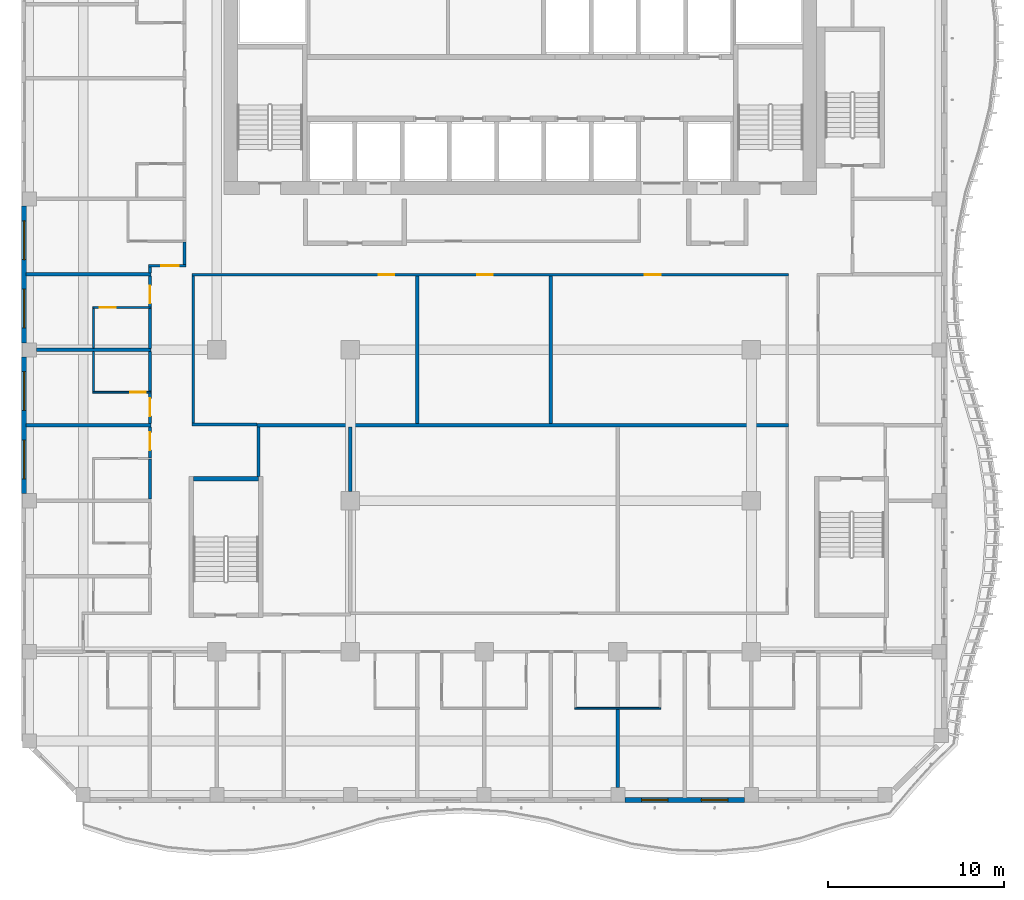
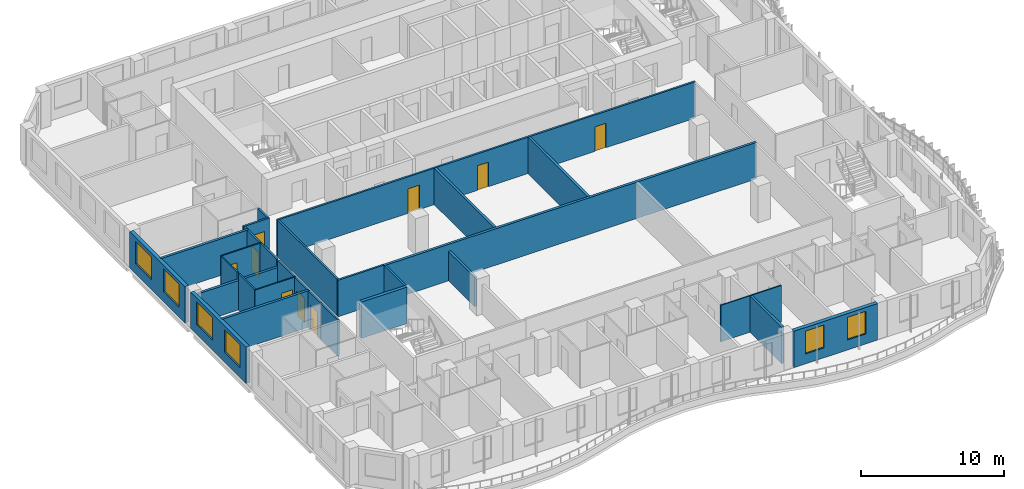
# One storey, part 4 of 22: 30 walls, 9 doors, 6 windows, 15 openings.
"""IFC4 building model written with IfcOpenShell, lengths in metres."""

from ifc_helpers import new_model, si_unit, direction, frame, frame_2d, origin, place, context, subcontext, project, spatial, rectangle, extrude, source, transform, mapped, material, layer, layer_set, type_object, element, fill, save


model = new_model("IFC4")

# Units and contexts
model_context = context("Model", 3, precision=1e-05, world=origin(), true_north=direction((0.0, 1.0)))
body_context = subcontext(model_context, "Body", "Model", "MODEL_VIEW")
ifc_project = project(units=[si_unit("LENGTHUNIT", "METRE"), si_unit("AREAUNIT", "SQUARE_METRE"), si_unit("VOLUMEUNIT", "CUBIC_METRE"), si_unit("PLANEANGLEUNIT", "RADIAN"), si_unit("MASSUNIT", "GRAM", prefix="KILO")], contexts=[model_context])

# Site, building, storey
site_placement = place(None, origin())
site = spatial("IfcSite", under=ifc_project, at=site_placement, CompositionType="ELEMENT")
building_placement = place(site_placement, origin())
building = spatial("IfcBuilding", under=site, at=building_placement, Name="Kilnfold Tower and Market Hall", CompositionType="ELEMENT")
storey_placement = place(building_placement, frame((0.0, 0.0, 188.89990234375)))
storey = spatial("IfcBuildingStorey", under=building, at=storey_placement, Name="L45", CompositionType="ELEMENT", Elevation=188.89990234375)

# Wall, opening, door
ifc_material_1 = material(Name="Gypsum board on steel studs", Category="steel")
ifc_layer_1 = layer(ifc_material_1, 0.14990234375)
ifc_layer_set_1 = layer_set([ifc_layer_1], Name="Gypsum board on steel studs")
wall_type_1 = type_object("IfcWallType", Name="WALL CORRIDOR 150", PredefinedType="PARTITIONING", material=ifc_layer_set_1)
wall_1_placement = place(storey_placement, frame((-19.958984375, -6.68505859375, 0.0), z_axis=(0.0, 0.0, 1.0), x_axis=(0.0, 1.0, 0.0)))
wall_1 = element("IfcWall", 1, at=wall_1_placement, inside=storey, type_object=wall_type_1, Name="Partition LY28.12", PredefinedType="PARTITIONING", context=body_context, shape_type="SweptSolid", body=[
    extrude(rectangle(XDim=1.751953125, YDim=0.14990234375, at=frame_2d((0.8759765625, 0.0))), origin(), (0.0, 0.0, 1.0), 3.1201171875),
])
opening_1_placement = place(wall_1_placement, frame((0.43505859375, 0.0, 0.0)))
opening_1 = element("IfcOpeningElement", 2, at=opening_1_placement, cuts=wall_1, Name="Opening D1", PredefinedType="OPENING", context=body_context, shape_type="SweptSolid", body=[
    extrude(rectangle(XDim=1.0, YDim=2.10009765625, at=frame_2d((0.5, 1.050048828125))), frame((0.0, 0.0849609375, 0.0), z_axis=(0.0, -1.0, 0.0), x_axis=(1.0, 0.0, 0.0)), (0.0, 0.0, 1.0), 0.169921875),
])
ifc_material_2 = material(Name="Timber veneer door leaf in steel frame", Category="steel")
door_type_1 = type_object("IfcDoorType", Name="DOOR ENTRY 1000 X2100", OperationType="NOTDEFINED", PredefinedType="DOOR", material=ifc_material_2)
door_1_placement = place(opening_1_placement, origin())
door_1 = element("IfcDoor", 3, at=door_1_placement, inside=storey, type_object=door_type_1, Name="Door D1", OperationType="SINGLE_SWING_RIGHT", OverallHeight=2.10009765625, OverallWidth=1.0, PredefinedType="DOOR", context=body_context, shape_type="SweptSolid", body=[
    extrude(rectangle(XDim=1.0, YDim=2.10009765625, at=frame_2d((0.5, 1.050048828125))), frame((0.0, 0.02490234375, 0.0), z_axis=(0.0, -1.0, 0.0), x_axis=(1.0, 0.0, 0.0)), (0.0, 0.0, 1.0), 0.050048828125),
])
fill(opening_1, door_1)

# Wall
wall_2_placement = place(storey_placement, frame((-19.958984375, -9.034912109375, 0.0), z_axis=(0.0, 0.0, 1.0), x_axis=(0.0, 1.0, 0.0)))
element("IfcWall", 4, at=wall_2_placement, inside=storey, type_object=wall_type_1, Name="Partition LY28.13", PredefinedType="PARTITIONING", context=body_context, shape_type="SweptSolid", body=[
    extrude(rectangle(XDim=2.27001953125, YDim=0.14990234375, at=frame_2d((1.135009765625, 0.0))), origin(), (0.0, 0.0, 1.0), 3.1201171875),
])

# Wall, opening, door
wall_3_placement = place(storey_placement, frame((-19.958984375, -4.7529296875, 0.0), z_axis=(0.0, 0.0, 1.0), x_axis=(0.0, 1.0, 0.0)))
wall_3 = element("IfcWall", 5, at=wall_3_placement, inside=storey, type_object=wall_type_1, Name="Partition LY28.14", PredefinedType="PARTITIONING", context=body_context, shape_type="SweptSolid", body=[
    extrude(rectangle(XDim=1.7509765625, YDim=0.14990234375, at=frame_2d((0.87548828125, 0.0))), origin(), (0.0, 0.0, 1.0), 3.1201171875),
])
opening_2_placement = place(wall_3_placement, frame((0.43408203125, 0.0, 0.0)))
opening_2 = element("IfcOpeningElement", 6, at=opening_2_placement, cuts=wall_3, Name="Opening D1", PredefinedType="OPENING", context=body_context, shape_type="SweptSolid", body=[
    extrude(rectangle(XDim=1.0, YDim=2.10009765625, at=frame_2d((0.5, 1.050048828125))), frame((0.0, 0.0849609375, 0.0), z_axis=(0.0, -1.0, 0.0), x_axis=(1.0, 0.0, 0.0)), (0.0, 0.0, 1.0), 0.169921875),
])
door_2_placement = place(opening_2_placement, origin())
door_2 = element("IfcDoor", 7, at=door_2_placement, inside=storey, type_object=door_type_1, Name="Door D1", OperationType="SINGLE_SWING_RIGHT", OverallHeight=2.10009765625, OverallWidth=1.0, PredefinedType="DOOR", context=body_context, shape_type="SweptSolid", body=[
    extrude(rectangle(XDim=1.0, YDim=2.10009765625, at=frame_2d((0.5, 1.050048828125))), frame((0.0, 0.02490234375, 0.0), z_axis=(0.0, -1.0, 0.0), x_axis=(1.0, 0.0, 0.0)), (0.0, 0.0, 1.0), 0.050048828125),
])
fill(opening_2, door_2)

# Wall
wall_4_placement = place(storey_placement, frame((-19.958984375, -2.922119140625, 0.0), z_axis=(0.0, 0.0, 1.0), x_axis=(0.0, 1.0, 0.0)))
element("IfcWall", 8, at=wall_4_placement, inside=storey, type_object=wall_type_1, Name="Partition LY28.15", PredefinedType="PARTITIONING", context=body_context, shape_type="SweptSolid", body=[
    extrude(rectangle(XDim=2.27001953125, YDim=0.14990234375, at=frame_2d((1.135009765625, 0.0))), origin(), (0.0, 0.0, 1.0), 3.1201171875),
])

# Wall, opening, door
wall_5_placement = place(storey_placement, frame((-19.958984375, 1.8779296875, 0.0), z_axis=(0.0, 0.0, 1.0), x_axis=(0.0, 1.0, 0.0)))
wall_5 = element("IfcWall", 9, at=wall_5_placement, inside=storey, type_object=wall_type_1, Name="Partition LY28.16", PredefinedType="PARTITIONING", context=body_context, shape_type="SweptSolid", body=[
    extrude(rectangle(XDim=1.7509765625, YDim=0.14990234375, at=frame_2d((0.87548828125, 0.0))), origin(), (0.0, 0.0, 1.0), 3.1201171875),
])
opening_3_placement = place(wall_5_placement, frame((0.199951171875, 0.0, 0.0)))
opening_3 = element("IfcOpeningElement", 10, at=opening_3_placement, cuts=wall_5, Name="Opening D1", PredefinedType="OPENING", context=body_context, shape_type="SweptSolid", body=[
    extrude(rectangle(XDim=1.0, YDim=2.10009765625, at=frame_2d((0.5, 1.050048828125))), frame((0.0, 0.0849609375, 0.0), z_axis=(0.0, -1.0, 0.0), x_axis=(1.0, 0.0, 0.0)), (0.0, 0.0, 1.0), 0.169921875),
])
door_3_placement = place(opening_3_placement, origin())
door_3 = element("IfcDoor", 11, at=door_3_placement, inside=storey, type_object=door_type_1, Name="Door D1", OperationType="SINGLE_SWING_RIGHT", OverallHeight=2.10009765625, OverallWidth=1.0, PredefinedType="DOOR", context=body_context, shape_type="SweptSolid", body=[
    extrude(rectangle(XDim=1.0, YDim=2.10009765625, at=frame_2d((0.5, 1.050048828125))), frame((0.0, 0.02490234375, 0.0), z_axis=(0.0, -1.0, 0.0), x_axis=(1.0, 0.0, 0.0)), (0.0, 0.0, 1.0), 0.050048828125),
])
fill(opening_3, door_3)

# Walls
wall_6_placement = place(storey_placement, frame((-19.958984375, -0.471923828125, 0.0), z_axis=(0.0, 0.0, 1.0), x_axis=(0.0, 1.0, 0.0)))
element("IfcWall", 12, at=wall_6_placement, inside=storey, type_object=wall_type_1, Name="Partition LY28.17", PredefinedType="PARTITIONING", context=body_context, shape_type="SweptSolid", body=[
    extrude(rectangle(XDim=2.27001953125, YDim=0.14990234375, at=frame_2d((1.135009765625, 0.0))), origin(), (0.0, 0.0, 1.0), 3.1201171875),
])
wall_7_placement = place(storey_placement, frame((-19.958984375, 3.80908203125, 0.0), z_axis=(0.0, 0.0, 1.0), x_axis=(0.0, 1.0, 0.0)))
element("IfcWall", 13, at=wall_7_placement, inside=storey, type_object=wall_type_1, Name="Partition LY28.18", PredefinedType="PARTITIONING", context=body_context, shape_type="SweptSolid", body=[
    extrude(rectangle(XDim=0.31591796875, YDim=0.14990234375, at=frame_2d((0.157958984375, 0.0))), origin(), (0.0, 0.0, 1.0), 3.1201171875),
])

# Wall, opening, door
wall_8_placement = place(storey_placement, frame((-17.925048828125, 4.199951171875, 0.0), z_axis=(0.0, 0.0, 1.0), x_axis=(-1.0, 0.0, 0.0)))
wall_8 = element("IfcWall", 14, at=wall_8_placement, inside=storey, type_object=wall_type_1, Name="Partition LY28.19", PredefinedType="PARTITIONING", context=body_context, shape_type="SweptSolid", body=[
    extrude(rectangle(XDim=2.10888671875, YDim=0.14990234375, at=frame_2d((1.054443359375, 0.0))), origin(), (0.0, 0.0, 1.0), 3.1201171875),
])
opening_4_placement = place(wall_8_placement, frame((0.403076171875, 0.0, 0.0)))
opening_4 = element("IfcOpeningElement", 15, at=opening_4_placement, cuts=wall_8, Name="Opening D1", PredefinedType="OPENING", context=body_context, shape_type="SweptSolid", body=[
    extrude(rectangle(XDim=1.0, YDim=2.10009765625, at=frame_2d((0.5, 1.050048828125))), frame((0.0, 0.0849609375, 0.0), z_axis=(0.0, -1.0, 0.0), x_axis=(1.0, 0.0, 0.0)), (0.0, 0.0, 1.0), 0.169921875),
])
door_4_placement = place(opening_4_placement, origin())
door_4 = element("IfcDoor", 16, at=door_4_placement, inside=storey, type_object=door_type_1, Name="Door D1", OperationType="SINGLE_SWING_LEFT", OverallHeight=2.10009765625, OverallWidth=1.0, PredefinedType="DOOR", context=body_context, shape_type="SweptSolid", body=[
    extrude(rectangle(XDim=1.0, YDim=2.10009765625, at=frame_2d((0.5, 1.050048828125))), frame((0.0, 0.02490234375, 0.0), z_axis=(0.0, -1.0, 0.0), x_axis=(1.0, 0.0, 0.0)), (0.0, 0.0, 1.0), 0.050048828125),
])
fill(opening_4, door_4)

# Wall
wall_9_placement = place(storey_placement, frame((-18.0, 4.27490234375, 0.0), z_axis=(0.0, 0.0, 1.0), x_axis=(0.0, 1.0, 0.0)))
element("IfcWall", 17, at=wall_9_placement, inside=storey, type_object=wall_type_1, Name="Partition LY28.20", PredefinedType="PARTITIONING", context=body_context, shape_type="SweptSolid", body=[
    extrude(rectangle(XDim=1.28515625, YDim=0.14990234375, at=frame_2d((0.642578125, 0.0))), origin(), (0.0, 0.0, 1.0), 3.1201171875),
])

# Wall, openings, doors
wall_10_placement = place(storey_placement, frame((-17.574951171875, 3.699951171875, 0.0), z_axis=(0.0, 0.0, 1.0), x_axis=(1.0, 0.0, 0.0)))
wall_10 = element("IfcWall", 18, at=wall_10_placement, inside=storey, type_object=wall_type_1, Name="Partition LY28.42", PredefinedType="PARTITIONING", context=body_context, shape_type="SweptSolid", body=[
    extrude(rectangle(XDim=33.849853515625, YDim=0.14990234375, at=frame_2d((16.9248046875, 0.0))), origin(), (0.0, 0.0, 1.0), 3.1201171875),
])
opening_5_placement = place(wall_10_placement, frame((10.583984375, 0.0, 0.0)))
opening_5 = element("IfcOpeningElement", 19, at=opening_5_placement, cuts=wall_10, Name="Opening D2", PredefinedType="OPENING", context=body_context, shape_type="SweptSolid", body=[
    extrude(rectangle(XDim=0.89990234375, YDim=2.10009765625, at=frame_2d((0.449951171875, 1.050048828125))), frame((0.0, 0.0849609375, 0.0), z_axis=(0.0, -1.0, 0.0), x_axis=(1.0, 0.0, 0.0)), (0.0, 0.0, 1.0), 0.169921875),
])
opening_6_placement = place(wall_10_placement, frame((16.175048828125, 0.0, 0.0)))
opening_6 = element("IfcOpeningElement", 20, at=opening_6_placement, cuts=wall_10, Name="Opening D2", PredefinedType="OPENING", context=body_context, shape_type="SweptSolid", body=[
    extrude(rectangle(XDim=0.89990234375, YDim=2.10009765625, at=frame_2d((0.449951171875, 1.050048828125))), frame((0.0, 0.0849609375, 0.0), z_axis=(0.0, -1.0, 0.0), x_axis=(1.0, 0.0, 0.0)), (0.0, 0.0, 1.0), 0.169921875),
])
opening_7_placement = place(wall_10_placement, frame((25.696044921875, 0.0, 0.0)))
opening_7 = element("IfcOpeningElement", 21, at=opening_7_placement, cuts=wall_10, Name="Opening D2", PredefinedType="OPENING", context=body_context, shape_type="SweptSolid", body=[
    extrude(rectangle(XDim=0.89990234375, YDim=2.10009765625, at=frame_2d((0.449951171875, 1.050048828125))), frame((0.0, 0.0849609375, 0.0), z_axis=(0.0, -1.0, 0.0), x_axis=(1.0, 0.0, 0.0)), (0.0, 0.0, 1.0), 0.169921875),
])
ifc_material_3 = material(Name="Timber veneer door leaf in steel frame", Category="steel")
door_type_2 = type_object("IfcDoorType", Name="DOOR ROOM 900 X2100", OperationType="NOTDEFINED", PredefinedType="DOOR", material=ifc_material_3)
door_5_placement = place(opening_5_placement, origin())
door_5 = element("IfcDoor", 22, at=door_5_placement, inside=storey, type_object=door_type_2, Name="Door D2", OperationType="SINGLE_SWING_RIGHT", OverallHeight=2.10009765625, OverallWidth=0.89990234375, PredefinedType="DOOR", context=body_context, shape_type="SweptSolid", body=[
    extrude(rectangle(XDim=0.89990234375, YDim=2.10009765625, at=frame_2d((0.449951171875, 1.050048828125))), frame((0.0, 0.02490234375, 0.0), z_axis=(0.0, -1.0, 0.0), x_axis=(1.0, 0.0, 0.0)), (0.0, 0.0, 1.0), 0.050048828125),
])
fill(opening_5, door_5)
door_6_placement = place(opening_6_placement, origin())
door_6 = element("IfcDoor", 23, at=door_6_placement, inside=storey, type_object=door_type_2, Name="Door D2", OperationType="SINGLE_SWING_LEFT", OverallHeight=2.10009765625, OverallWidth=0.89990234375, PredefinedType="DOOR", context=body_context, shape_type="SweptSolid", body=[
    extrude(rectangle(XDim=0.89990234375, YDim=2.10009765625, at=frame_2d((0.449951171875, 1.050048828125))), frame((0.0, 0.02490234375, 0.0), z_axis=(0.0, -1.0, 0.0), x_axis=(1.0, 0.0, 0.0)), (0.0, 0.0, 1.0), 0.050048828125),
])
fill(opening_6, door_6)
door_7_placement = place(opening_7_placement, origin())
door_7 = element("IfcDoor", 24, at=door_7_placement, inside=storey, type_object=door_type_2, Name="Door D2", OperationType="SINGLE_SWING_RIGHT", OverallHeight=2.10009765625, OverallWidth=0.89990234375, PredefinedType="DOOR", context=body_context, shape_type="SweptSolid", body=[
    extrude(rectangle(XDim=0.89990234375, YDim=2.10009765625, at=frame_2d((0.449951171875, 1.050048828125))), frame((0.0, 0.02490234375, 0.0), z_axis=(0.0, -1.0, 0.0), x_axis=(1.0, 0.0, 0.0)), (0.0, 0.0, 1.0), 0.050048828125),
])
fill(opening_7, door_7)

# Walls
wall_11_placement = place(storey_placement, frame((-17.5, -4.72509765625, 0.0), z_axis=(0.0, 0.0, 1.0), x_axis=(0.0, 1.0, 0.0)))
element("IfcWall", 25, at=wall_11_placement, inside=storey, type_object=wall_type_1, Name="Partition LY28.43", PredefinedType="PARTITIONING", context=body_context, shape_type="SweptSolid", body=[
    extrude(rectangle(XDim=8.35009765625, YDim=0.14990234375, at=frame_2d((4.175048828125, 0.0))), origin(), (0.0, 0.0, 1.0), 3.1201171875),
])
wall_12_placement = place(storey_placement, frame((-17.574951171875, -4.800048828125, 0.0), z_axis=(0.0, 0.0, 1.0), x_axis=(1.0, 0.0, 0.0)))
element("IfcWall", 26, at=wall_12_placement, inside=storey, type_object=wall_type_1, Name="Partition LY28.44", PredefinedType="PARTITIONING", context=body_context, shape_type="SweptSolid", body=[
    extrude(rectangle(XDim=3.701904296875, YDim=0.14990234375, at=frame_2d((1.85107421875, 0.0))), origin(), (0.0, 0.0, 1.0), 3.1201171875),
])
wall_13_placement = place(storey_placement, frame((-13.800048828125, -7.75, 0.0), z_axis=(0.0, 0.0, 1.0), x_axis=(0.0, 1.0, 0.0)))
element("IfcWall", 27, at=wall_13_placement, inside=storey, type_object=wall_type_1, Name="Partition LY28.46", PredefinedType="PARTITIONING", context=body_context, shape_type="SweptSolid", body=[
    extrude(rectangle(XDim=2.81689453125, YDim=0.14990234375, at=frame_2d((1.408447265625, 0.0))), origin(), (0.0, 0.0, 1.0), 3.1201171875),
])
ifc_material_4 = material(Name="Gypsum board on steel studs", Category="steel")
ifc_layer_2 = layer(ifc_material_4, 0.10009765625)
ifc_layer_set_2 = layer_set([ifc_layer_2], Name="Gypsum board on steel studs")
wall_type_2 = type_object("IfcWallType", Name="WALL PARTITION 100", PredefinedType="PARTITIONING", material=ifc_layer_set_2)
wall_14_placement = place(storey_placement, frame((4.133056640625, -20.902099609375, 0.0), z_axis=(0.0, 0.0, 1.0), x_axis=(1.0, 0.0, 0.0)))
element("IfcWall", 28, at=wall_14_placement, inside=storey, type_object=wall_type_2, Name="Partition LY28.72", PredefinedType="PARTITIONING", context=body_context, shape_type="SweptSolid", body=[
    extrude(rectangle(XDim=4.89990234375, YDim=0.10009765625, at=frame_2d((2.449951171875, 0.0))), origin(), (0.0, 0.0, 1.0), 3.1201171875),
])

# Wall, opening, door
wall_15_placement = place(storey_placement, frame((-19.885986328125, -2.9619140625, 0.0), z_axis=(0.0, 0.0, 1.0), x_axis=(-1.0, 0.0, 0.0)))
wall_15 = element("IfcWall", 29, at=wall_15_placement, inside=storey, type_object=wall_type_2, Name="Partition LY28.95", PredefinedType="PARTITIONING", context=body_context, shape_type="SweptSolid", body=[
    extrude(rectangle(XDim=3.324951171875, YDim=0.10009765625, at=frame_2d((1.66259765625, 0.0))), origin(), (0.0, 0.0, 1.0), 3.1201171875),
])
opening_8_placement = place(wall_15_placement, frame((0.301025390625, 0.0, 0.0)))
opening_8 = element("IfcOpeningElement", 30, at=opening_8_placement, cuts=wall_15, Name="Opening D3", PredefinedType="OPENING", context=body_context, shape_type="SweptSolid", body=[
    extrude(rectangle(XDim=0.89990234375, YDim=2.10009765625, at=frame_2d((0.449951171875, 1.050048828125))), frame((0.0, 0.06005859375, 0.0), z_axis=(0.0, -1.0, 0.0), x_axis=(1.0, 0.0, 0.0)), (0.0, 0.0, 1.0), 0.1201171875),
])
ifc_material_5 = material(Name="Timber veneer door leaf in steel frame", Category="steel")
door_type_3 = type_object("IfcDoorType", Name="DOOR WC 900 X2100", OperationType="NOTDEFINED", PredefinedType="DOOR", material=ifc_material_5)
door_8_placement = place(opening_8_placement, origin())
door_8 = element("IfcDoor", 31, at=door_8_placement, inside=storey, type_object=door_type_3, Name="Door D3", OperationType="SINGLE_SWING_RIGHT", OverallHeight=2.10009765625, OverallWidth=0.89990234375, PredefinedType="DOOR", context=body_context, shape_type="SweptSolid", body=[
    extrude(rectangle(XDim=0.89990234375, YDim=2.10009765625, at=frame_2d((0.449951171875, 1.050048828125))), frame((0.0, 0.02490234375, 0.0), z_axis=(0.0, -1.0, 0.0), x_axis=(1.0, 0.0, 0.0)), (0.0, 0.0, 1.0), 0.050048828125),
])
fill(opening_8, door_8)

# Wall
wall_16_placement = place(storey_placement, frame((-23.160888671875, -2.912109375, 0.0), z_axis=(0.0, 0.0, 1.0), x_axis=(0.0, 1.0, 0.0)))
element("IfcWall", 32, at=wall_16_placement, inside=storey, type_object=wall_type_2, Name="Partition LY28.96", PredefinedType="PARTITIONING", context=body_context, shape_type="SweptSolid", body=[
    extrude(rectangle(XDim=2.25, YDim=0.10009765625, at=frame_2d((1.125, 0.0))), origin(), (0.0, 0.0, 1.0), 3.1201171875),
])

# Wall, opening, door
wall_17_placement = place(storey_placement, frame((-23.2109375, 1.837890625, 0.0), z_axis=(0.0, 0.0, 1.0), x_axis=(1.0, 0.0, 0.0)))
wall_17 = element("IfcWall", 33, at=wall_17_placement, inside=storey, type_object=wall_type_2, Name="Partition LY28.98", PredefinedType="PARTITIONING", context=body_context, shape_type="SweptSolid", body=[
    extrude(rectangle(XDim=3.324951171875, YDim=0.10009765625, at=frame_2d((1.66259765625, 0.0))), origin(), (0.0, 0.0, 1.0), 3.1201171875),
])
opening_9_placement = place(wall_17_placement, frame((0.402099609375, 0.0, 0.0)))
opening_9 = element("IfcOpeningElement", 34, at=opening_9_placement, cuts=wall_17, Name="Opening D3", PredefinedType="OPENING", context=body_context, shape_type="SweptSolid", body=[
    extrude(rectangle(XDim=0.89990234375, YDim=2.10009765625, at=frame_2d((0.449951171875, 1.050048828125))), frame((0.0, 0.06005859375, 0.0), z_axis=(0.0, -1.0, 0.0), x_axis=(1.0, 0.0, 0.0)), (0.0, 0.0, 1.0), 0.1201171875),
])
door_9_placement = place(opening_9_placement, origin())
door_9 = element("IfcDoor", 35, at=door_9_placement, inside=storey, type_object=door_type_3, Name="Door D3", OperationType="SINGLE_SWING_LEFT", OverallHeight=2.10009765625, OverallWidth=0.89990234375, PredefinedType="DOOR", context=body_context, shape_type="SweptSolid", body=[
    extrude(rectangle(XDim=0.89990234375, YDim=2.10009765625, at=frame_2d((0.449951171875, 1.050048828125))), frame((0.0, 0.02490234375, 0.0), z_axis=(0.0, -1.0, 0.0), x_axis=(1.0, 0.0, 0.0)), (0.0, 0.0, 1.0), 0.050048828125),
])
fill(opening_9, door_9)

# Walls
wall_18_placement = place(storey_placement, frame((-23.160888671875, -0.4619140625, 0.0), z_axis=(0.0, 0.0, 1.0), x_axis=(0.0, 1.0, 0.0)))
element("IfcWall", 36, at=wall_18_placement, inside=storey, type_object=wall_type_2, Name="Partition LY28.99", PredefinedType="PARTITIONING", context=body_context, shape_type="SweptSolid", body=[
    extrude(rectangle(XDim=2.25, YDim=0.10009765625, at=frame_2d((1.125, 0.0))), origin(), (0.0, 0.0, 1.0), 3.1201171875),
])
ifc_material_6 = material(Name="Gypsum board on steel studs", Category="steel")
ifc_layer_3 = layer(ifc_material_6, 0.199951171875)
ifc_layer_set_3 = layer_set([ifc_layer_3], Name="Gypsum board on steel studs")
wall_type_3 = type_object("IfcWallType", Name="WALL PARTY 200", PredefinedType="PARTITIONING", material=ifc_layer_set_3)
wall_19_placement = place(storey_placement, frame((6.5830078125, -25.39990234375, 0.0), z_axis=(0.0, 0.0, 1.0), x_axis=(0.0, 1.0, 0.0)))
element("IfcWall", 37, at=wall_19_placement, inside=storey, type_object=wall_type_3, Name="Partition LY28.73", PredefinedType="PARTITIONING", context=body_context, shape_type="SweptSolid", body=[
    extrude(rectangle(XDim=4.447998046875, YDim=0.199951171875, at=frame_2d((2.22412109375, 0.0))), origin(), (0.0, 0.0, 1.0), 3.1201171875),
])
wall_20_placement = place(storey_placement, frame((-27.0, -4.843017578125, 0.0), z_axis=(0.0, 0.0, 1.0), x_axis=(1.0, 0.0, 0.0)))
element("IfcWall", 38, at=wall_20_placement, inside=storey, type_object=wall_type_3, Name="Partition LY28.94", PredefinedType="PARTITIONING", context=body_context, shape_type="SweptSolid", body=[
    extrude(rectangle(XDim=7.114013671875, YDim=0.199951171875, at=frame_2d((3.55712890625, 0.0))), origin(), (0.0, 0.0, 1.0), 3.1201171875),
])
wall_21_placement = place(storey_placement, frame((-26.39990234375, -0.56201171875, 0.0), z_axis=(0.0, 0.0, 1.0), x_axis=(1.0, 0.0, 0.0)))
element("IfcWall", 39, at=wall_21_placement, inside=storey, type_object=wall_type_3, Name="Partition LY28.97", PredefinedType="PARTITIONING", context=body_context, shape_type="SweptSolid", body=[
    extrude(rectangle(XDim=6.513916015625, YDim=0.199951171875, at=frame_2d((3.2568359375, 0.0))), origin(), (0.0, 0.0, 1.0), 2.52001953125),
])
wall_22_placement = place(storey_placement, frame((-27.0, 3.718994140625, 0.0), z_axis=(0.0, 0.0, 1.0), x_axis=(1.0, 0.0, 0.0)))
element("IfcWall", 40, at=wall_22_placement, inside=storey, type_object=wall_type_3, Name="Partition LY28.100", PredefinedType="PARTITIONING", context=body_context, shape_type="SweptSolid", body=[
    extrude(rectangle(XDim=7.114013671875, YDim=0.199951171875, at=frame_2d((3.55712890625, 0.0))), origin(), (0.0, 0.0, 1.0), 3.1201171875),
])
wall_23_placement = place(storey_placement, frame((-4.7919921875, -4.742919921875, 0.0), z_axis=(0.0, 0.0, 1.0), x_axis=(0.0, 1.0, 0.0)))
element("IfcWall", 41, at=wall_23_placement, inside=storey, type_object=wall_type_3, Name="Partition LY28.122", PredefinedType="PARTITIONING", context=body_context, shape_type="SweptSolid", body=[
    extrude(rectangle(XDim=8.365966796875, YDim=0.199951171875, at=frame_2d((4.18310546875, 0.0))), origin(), (0.0, 0.0, 1.0), 3.1201171875),
])
wall_24_placement = place(storey_placement, frame((-13.873046875, -4.843017578125, 0.0), z_axis=(0.0, 0.0, 1.0), x_axis=(1.0, 0.0, 0.0)))
element("IfcWall", 42, at=wall_24_placement, inside=storey, type_object=wall_type_3, Name="Partition LY28.123", PredefinedType="PARTITIONING", context=body_context, shape_type="SweptSolid", body=[
    extrude(rectangle(XDim=30.14599609375, YDim=0.199951171875, at=frame_2d((15.072998046875, 0.0))), origin(), (0.0, 0.0, 1.0), 3.1201171875),
])
wall_25_placement = place(storey_placement, frame((2.7919921875, -4.742919921875, 0.0), z_axis=(0.0, 0.0, 1.0), x_axis=(0.0, 1.0, 0.0)))
element("IfcWall", 43, at=wall_25_placement, inside=storey, type_object=wall_type_3, Name="Partition LY28.124", PredefinedType="PARTITIONING", context=body_context, shape_type="SweptSolid", body=[
    extrude(rectangle(XDim=8.365966796875, YDim=0.199951171875, at=frame_2d((4.18310546875, 0.0))), origin(), (0.0, 0.0, 1.0), 3.1201171875),
])
wall_26_placement = place(storey_placement, frame((-8.5830078125, -8.60009765625, 0.0), z_axis=(0.0, 0.0, 1.0), x_axis=(0.0, 1.0, 0.0)))
element("IfcWall", 44, at=wall_26_placement, inside=storey, type_object=wall_type_3, Name="Partition LY28.125", PredefinedType="PARTITIONING", context=body_context, shape_type="SweptSolid", body=[
    extrude(rectangle(XDim=3.656982421875, YDim=0.199951171875, at=frame_2d((1.82861328125, 0.0))), origin(), (0.0, 0.0, 1.0), 2.52001953125),
])
ifc_material_7 = material(Name="Concrete C60", Category="concrete")
ifc_layer_4 = layer(ifc_material_7, 0.25)
ifc_layer_set_4 = layer_set([ifc_layer_4], Name="Concrete C60")
wall_type_4 = type_object("IfcWallType", Name="CORE WALL 250 C60", PredefinedType="SHEAR", material=ifc_layer_set_4)
shared_shape_1 = source(origin(), body_context, "Body", "SweptSolid", [
    extrude(rectangle(XDim=3.699951171875, YDim=0.25, at=frame_2d((1.85009765625, 0.0))), origin(), (0.0, 0.0, 1.0), 3.1201171875),
])
wall_27_placement = place(storey_placement, frame((-17.5, -7.875, 0.0), z_axis=(0.0, 0.0, 1.0), x_axis=(1.0, 0.0, 0.0)))
element("IfcWall", 45, at=wall_27_placement, inside=storey, type_object=wall_type_4, Name="Stair enclosure ST3", PredefinedType="SHEAR", context=body_context, shape_type="MappedRepresentation", body=[
    mapped(shared_shape_1, transform((0.0, 0.0, 0.0))),
])

# Wall, openings, windows
ifc_material_8 = material(Name="Precast concrete C50/60", Category="concrete")
ifc_layer_5 = layer(ifc_material_8, 0.300048828125)
ifc_layer_set_5 = layer_set([ifc_layer_5], Name="Precast concrete C50/60")
wall_type_5 = type_object("IfcWallType", Name="PRECAST WALL 300", PredefinedType="SOLIDWALL", material=ifc_layer_set_5)
shared_shape_2 = source(origin(), body_context, "Body", "SweptSolid", [
    extrude(rectangle(XDim=6.783203125, YDim=0.300048828125, at=frame_2d((3.3916015625, 0.0))), origin(), (0.0, 0.0, 1.0), 3.1201171875),
])
wall_28_placement = place(storey_placement, frame((6.9833984375, -26.10009765625, 0.0), z_axis=(0.0, 0.0, 1.0), x_axis=(1.0, 0.0, 0.0)))
wall_28 = element("IfcWall", 46, at=wall_28_placement, inside=storey, type_object=wall_type_5, Name="External wall L45 S", PredefinedType="SOLIDWALL", context=body_context, shape_type="MappedRepresentation", body=[
    mapped(shared_shape_2, transform((0.0, 0.0, 0.0))),
])
opening_10_placement = place(wall_28_placement, frame((0.94580078125, 0.0, 0.85009765625)))
opening_10 = element("IfcOpeningElement", 47, at=opening_10_placement, cuts=wall_28, Name="Opening W4", PredefinedType="OPENING", context=body_context, shape_type="SweptSolid", body=[
    extrude(rectangle(XDim=1.5, YDim=1.949951171875, at=frame_2d((0.75, 0.97509765625))), frame((0.0, 0.16015625, 0.0), z_axis=(0.0, -1.0, 0.0), x_axis=(1.0, 0.0, 0.0)), (0.0, 0.0, 1.0), 0.320068359375),
])
opening_11_placement = place(wall_28_placement, frame((4.337646484375, 0.0, 0.85009765625)))
opening_11 = element("IfcOpeningElement", 48, at=opening_11_placement, cuts=wall_28, Name="Opening W4", PredefinedType="OPENING", context=body_context, shape_type="SweptSolid", body=[
    extrude(rectangle(XDim=1.5, YDim=1.949951171875, at=frame_2d((0.75, 0.97509765625))), frame((0.0, 0.16015625, 0.0), z_axis=(0.0, -1.0, 0.0), x_axis=(1.0, 0.0, 0.0)), (0.0, 0.0, 1.0), 0.320068359375),
])
ifc_material_9 = material(Name="Aluminium frame and double glazing", Category="aluminium")
window_type_1 = type_object("IfcWindowType", Name="WINDOW W4 1500X1950", PartitioningType="SINGLE_PANEL", PredefinedType="WINDOW", material=ifc_material_9)
window_1_placement = place(opening_10_placement, origin())
window_1 = element("IfcWindow", 49, at=window_1_placement, inside=storey, type_object=window_type_1, Name="Window W4 L45 S-1", OverallHeight=1.949951171875, OverallWidth=1.5, PartitioningType="SINGLE_PANEL", PredefinedType="WINDOW", context=body_context, shape_type="SweptSolid", body=[
    extrude(rectangle(XDim=1.5, YDim=1.949951171875, at=frame_2d((0.75, 0.97509765625))), frame((0.0, 0.030029296875, 0.0), z_axis=(0.0, -1.0, 0.0), x_axis=(1.0, 0.0, 0.0)), (0.0, 0.0, 1.0), 0.06005859375),
])
fill(opening_10, window_1)
window_2_placement = place(opening_11_placement, origin())
window_2 = element("IfcWindow", 50, at=window_2_placement, inside=storey, type_object=window_type_1, Name="Window W4 L45 S-2", OverallHeight=1.949951171875, OverallWidth=1.5, PartitioningType="SINGLE_PANEL", PredefinedType="WINDOW", context=body_context, shape_type="SweptSolid", body=[
    extrude(rectangle(XDim=1.5, YDim=1.949951171875, at=frame_2d((0.75, 0.97509765625))), frame((0.0, 0.030029296875, 0.0), z_axis=(0.0, -1.0, 0.0), x_axis=(1.0, 0.0, 0.0)), (0.0, 0.0, 1.0), 0.06005859375),
])
fill(opening_11, window_2)

shared_shape_3 = source(origin(), body_context, "Body", "SweptSolid", [
    extrude(rectangle(XDim=7.7626953125, YDim=0.300048828125, at=frame_2d((3.88134765625, 0.0))), origin(), (0.0, 0.0, 1.0), 3.1201171875),
])
wall_29_placement = place(storey_placement, frame((-27.10009765625, 7.60009765625, 0.0), z_axis=(0.0, 0.0, 1.0), x_axis=(0.0, -1.0, 0.0)))
wall_29 = element("IfcWall", 51, at=wall_29_placement, inside=storey, type_object=wall_type_5, Name="External wall L45 W", PredefinedType="SOLIDWALL", context=body_context, shape_type="MappedRepresentation", body=[
    mapped(shared_shape_3, transform((0.0, 0.0, 0.0))),
])
opening_12_placement = place(wall_29_placement, frame((0.840576171875, 0.0, 0.85009765625)))
opening_12 = element("IfcOpeningElement", 52, at=opening_12_placement, cuts=wall_29, Name="Opening W2", PredefinedType="OPENING", context=body_context, shape_type="SweptSolid", body=[
    extrude(rectangle(XDim=2.199951171875, YDim=1.949951171875, at=frame_2d((1.10009765625, 0.97509765625))), frame((0.0, 0.16015625, 0.0), z_axis=(0.0, -1.0, 0.0), x_axis=(1.0, 0.0, 0.0)), (0.0, 0.0, 1.0), 0.320068359375),
])
opening_13_placement = place(wall_29_placement, frame((4.7216796875, 0.0, 0.85009765625)))
opening_13 = element("IfcOpeningElement", 53, at=opening_13_placement, cuts=wall_29, Name="Opening W2", PredefinedType="OPENING", context=body_context, shape_type="SweptSolid", body=[
    extrude(rectangle(XDim=2.199951171875, YDim=1.949951171875, at=frame_2d((1.10009765625, 0.97509765625))), frame((0.0, 0.16015625, 0.0), z_axis=(0.0, -1.0, 0.0), x_axis=(1.0, 0.0, 0.0)), (0.0, 0.0, 1.0), 0.320068359375),
])
ifc_material_10 = material(Name="Aluminium frame and double glazing", Category="aluminium")
window_type_2 = type_object("IfcWindowType", Name="WINDOW W2 2200X1950", PartitioningType="SINGLE_PANEL", PredefinedType="WINDOW", material=ifc_material_10)
window_3_placement = place(opening_12_placement, origin())
window_3 = element("IfcWindow", 54, at=window_3_placement, inside=storey, type_object=window_type_2, Name="Window W2 L45 W-1", OverallHeight=1.949951171875, OverallWidth=2.199951171875, PartitioningType="SINGLE_PANEL", PredefinedType="WINDOW", context=body_context, shape_type="SweptSolid", body=[
    extrude(rectangle(XDim=2.199951171875, YDim=1.949951171875, at=frame_2d((1.10009765625, 0.97509765625))), frame((0.0, 0.030029296875, 0.0), z_axis=(0.0, -1.0, 0.0), x_axis=(1.0, 0.0, 0.0)), (0.0, 0.0, 1.0), 0.06005859375),
])
fill(opening_12, window_3)
window_4_placement = place(opening_13_placement, origin())
window_4 = element("IfcWindow", 55, at=window_4_placement, inside=storey, type_object=window_type_2, Name="Window W2 L45 W-2", OverallHeight=1.949951171875, OverallWidth=2.199951171875, PartitioningType="SINGLE_PANEL", PredefinedType="WINDOW", context=body_context, shape_type="SweptSolid", body=[
    extrude(rectangle(XDim=2.199951171875, YDim=1.949951171875, at=frame_2d((1.10009765625, 0.97509765625))), frame((0.0, 0.030029296875, 0.0), z_axis=(0.0, -1.0, 0.0), x_axis=(1.0, 0.0, 0.0)), (0.0, 0.0, 1.0), 0.06005859375),
])
fill(opening_13, window_4)

wall_30_placement = place(storey_placement, frame((-27.10009765625, -0.96240234375, 0.0), z_axis=(0.0, 0.0, 1.0), x_axis=(0.0, -1.0, 0.0)))
wall_30 = element("IfcWall", 56, at=wall_30_placement, inside=storey, type_object=wall_type_5, Name="External wall L45 W", PredefinedType="SOLIDWALL", context=body_context, shape_type="MappedRepresentation", body=[
    mapped(shared_shape_3, transform((0.0, 0.0, 0.0))),
])
opening_14_placement = place(wall_30_placement, frame((0.8408203125, 0.0, 0.85009765625)))
opening_14 = element("IfcOpeningElement", 57, at=opening_14_placement, cuts=wall_30, Name="Opening W2", PredefinedType="OPENING", context=body_context, shape_type="SweptSolid", body=[
    extrude(rectangle(XDim=2.199951171875, YDim=1.949951171875, at=frame_2d((1.10009765625, 0.97509765625))), frame((0.0, 0.16015625, 0.0), z_axis=(0.0, -1.0, 0.0), x_axis=(1.0, 0.0, 0.0)), (0.0, 0.0, 1.0), 0.320068359375),
])
opening_15_placement = place(wall_30_placement, frame((4.721923828125, 0.0, 0.85009765625)))
opening_15 = element("IfcOpeningElement", 58, at=opening_15_placement, cuts=wall_30, Name="Opening W2", PredefinedType="OPENING", context=body_context, shape_type="SweptSolid", body=[
    extrude(rectangle(XDim=2.199951171875, YDim=1.949951171875, at=frame_2d((1.10009765625, 0.97509765625))), frame((0.0, 0.16015625, 0.0), z_axis=(0.0, -1.0, 0.0), x_axis=(1.0, 0.0, 0.0)), (0.0, 0.0, 1.0), 0.320068359375),
])
window_5_placement = place(opening_14_placement, origin())
window_5 = element("IfcWindow", 59, at=window_5_placement, inside=storey, type_object=window_type_2, Name="Window W2 L45 W-1", OverallHeight=1.949951171875, OverallWidth=2.199951171875, PartitioningType="SINGLE_PANEL", PredefinedType="WINDOW", context=body_context, shape_type="SweptSolid", body=[
    extrude(rectangle(XDim=2.199951171875, YDim=1.949951171875, at=frame_2d((1.10009765625, 0.97509765625))), frame((0.0, 0.030029296875, 0.0), z_axis=(0.0, -1.0, 0.0), x_axis=(1.0, 0.0, 0.0)), (0.0, 0.0, 1.0), 0.06005859375),
])
fill(opening_14, window_5)
window_6_placement = place(opening_15_placement, origin())
window_6 = element("IfcWindow", 60, at=window_6_placement, inside=storey, type_object=window_type_2, Name="Window W2 L45 W-2", OverallHeight=1.949951171875, OverallWidth=2.199951171875, PartitioningType="SINGLE_PANEL", PredefinedType="WINDOW", context=body_context, shape_type="SweptSolid", body=[
    extrude(rectangle(XDim=2.199951171875, YDim=1.949951171875, at=frame_2d((1.10009765625, 0.97509765625))), frame((0.0, 0.030029296875, 0.0), z_axis=(0.0, -1.0, 0.0), x_axis=(1.0, 0.0, 0.0)), (0.0, 0.0, 1.0), 0.06005859375),
])
fill(opening_15, window_6)

save(model, "model.ifc")
